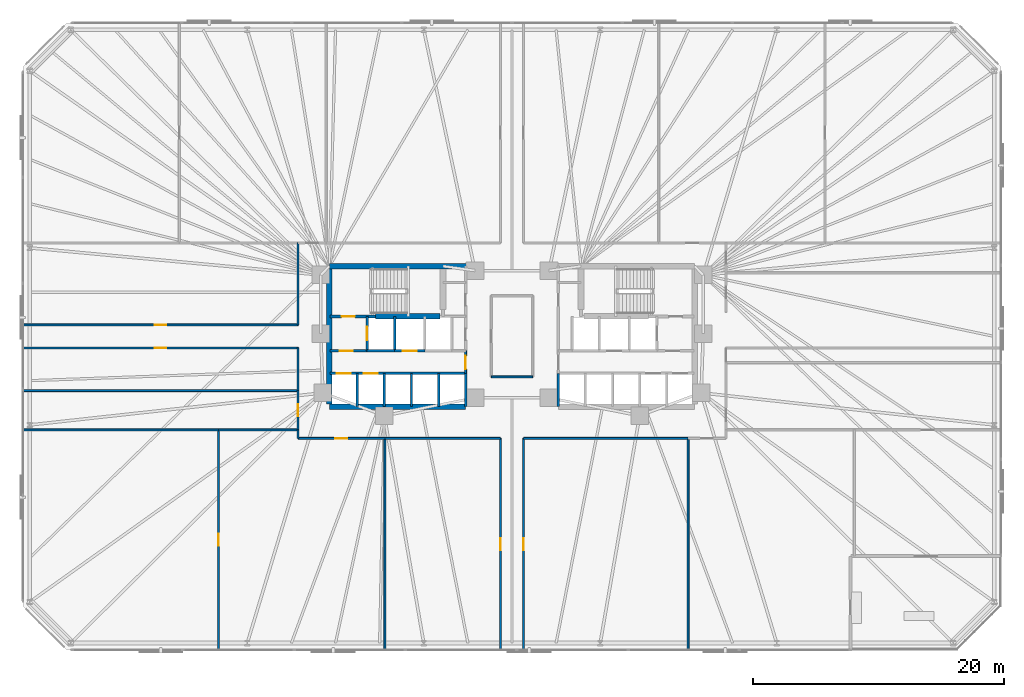
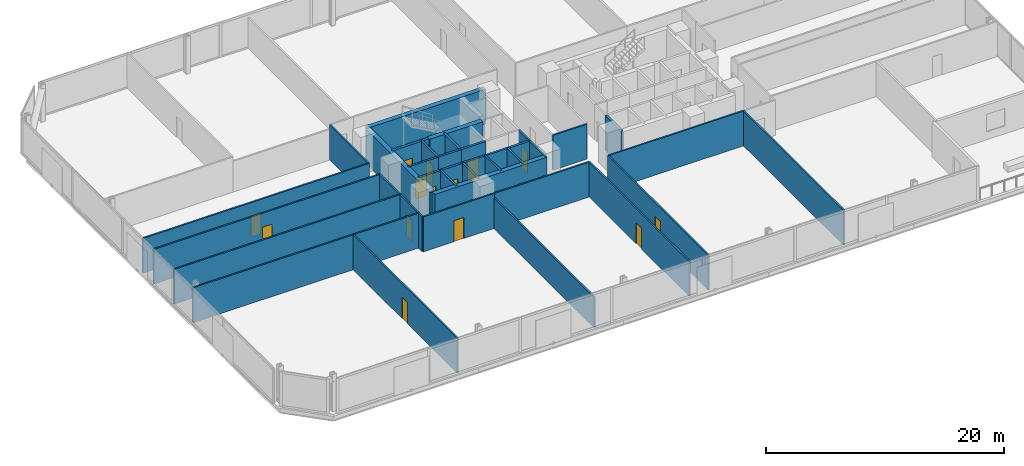
# One storey, part 12 of 17: 36 walls, 14 doors, 14 openings.
"""IFC4 building model written with IfcOpenShell, lengths in metres."""

import ifcopenshell
import ifcopenshell.guid

model = None  # the IFC model being written
_history = None  # IfcOwnerHistory: only IFC2X3 demands one
_inside = {}  # id of a spatial element -> (the spatial element, [elements in it])
_under = {}  # id of a project, library or spatial element -> (it, [spatial elements below it])
_declared = {}  # id of a project -> (the project, [libraries it declares])
_typed = {}  # id of a type object -> (the type object, [elements of that type])
_made_of = {}  # id of a material, layer set ... -> (it, [elements and type objects made of it])


def new_model(schema):
    """Start an empty IFC model of exactly this schema.

    Asked for "IFC4X3", IfcOpenShell would pick the latest addendum, in which some entities
    have other attributes; the version numbers below select the first issue.
    IFC2X3 requires an IfcOwnerHistory on every rooted entity: one is made here for all.
    """
    global model, _history
    if schema == "IFC4X3":
        model = ifcopenshell.file(schema_version=(4, 3, 0, 0))
    else:
        model = ifcopenshell.file(schema=schema)
    _inside.clear()
    _under.clear()
    _declared.clear()
    _typed.clear()
    _made_of.clear()
    _history = None
    if model.schema == "IFC2X3":
        org = make("IfcOrganization", Name="unknown")
        user = make(
            "IfcPersonAndOrganization",
            ThePerson=make("IfcPerson", FamilyName="unknown"),
            TheOrganization=org,
        )
        app = make(
            "IfcApplication",
            ApplicationDeveloper=org,
            Version="unknown",
            ApplicationFullName="unknown",
            ApplicationIdentifier="unknown",
        )
        _history = make(
            "IfcOwnerHistory",
            OwningUser=user,
            OwningApplication=app,
            ChangeAction="ADDED",
            CreationDate=0,
        )
    return model


def make(cls, **values):
    """One entity of the class cls with the attributes given. An attribute that is None is left unset."""
    return model.create_entity(
        cls, **{name: value for name, value in values.items() if value is not None}
    )


def rooted(cls, **values):
    """An entity with a GlobalId (a new one), such as an element, a storey or a relation."""
    return make(cls, GlobalId=ifcopenshell.guid.new(), OwnerHistory=_history, **values)


def si_unit(unit_type, name, prefix=None):
    """IfcSIUnit, for example si_unit("LENGTHUNIT", "METRE", prefix="MILLI")."""
    return make("IfcSIUnit", UnitType=unit_type, Prefix=prefix, Name=name)


def assignment(units):
    """IfcUnitAssignment: the units of a project."""
    return None if units is None else make("IfcUnitAssignment", Units=units)


def point(xyz):
    """IfcCartesianPoint."""
    return None if xyz is None else make("IfcCartesianPoint", Coordinates=xyz)


def direction(xyz):
    """IfcDirection."""
    return None if xyz is None else make("IfcDirection", DirectionRatios=xyz)


def frame(location, z_axis=None, x_axis=None):
    """IfcAxis2Placement3D, a coordinate frame: its origin and axes. An axis left out is left unset."""
    return make(
        "IfcAxis2Placement3D",
        Location=point(location),
        Axis=direction(z_axis),
        RefDirection=direction(x_axis),
    )


def frame_2d(location, x_axis=None):
    """IfcAxis2Placement2D, a coordinate frame in the plane: its origin and x axis."""
    return make(
        "IfcAxis2Placement2D", Location=point(location), RefDirection=direction(x_axis)
    )


def origin():
    """The frame at (0, 0, 0) with its axes left unset."""
    return frame((0.0, 0.0, 0.0))


def place(relative_to, where):
    """IfcLocalPlacement: puts the frame where relative to a parent placement (None: the world)."""
    return make(
        "IfcLocalPlacement", PlacementRelTo=relative_to, RelativePlacement=where
    )


def context(
    kind, dimensions, precision=None, world=None, true_north=None, identifier=None
):
    """IfcGeometricRepresentationContext, for example the 3D "Model" context."""
    return make(
        "IfcGeometricRepresentationContext",
        ContextIdentifier=identifier,
        ContextType=kind,
        CoordinateSpaceDimension=dimensions,
        Precision=precision,
        WorldCoordinateSystem=world,
        TrueNorth=true_north,
    )


def subcontext(parent, identifier, kind, view, scale=None):
    """IfcGeometricRepresentationSubContext, for example "Body" below "Model"."""
    return make(
        "IfcGeometricRepresentationSubContext",
        ContextIdentifier=identifier,
        ContextType=kind,
        ParentContext=parent,
        TargetScale=scale,
        TargetView=view,
    )


def project(units=None, contexts=None):
    """IfcProject with its units and contexts."""
    return rooted(
        "IfcProject",
        Name="project",
        RepresentationContexts=contexts,
        UnitsInContext=assignment(units),
    )


def spatial(cls, under=None, at=None, **own):
    """A site, building, storey or space (cls), placed at a placement, below another one or the project."""
    s = rooted(cls, ObjectPlacement=at, **own)
    if under is not None:
        _under.setdefault(under.id(), (under, []))[1].append(s)
    return s


def profile(cls, at=None, kind="AREA", **sizes):
    """A parametric profile (cls). Its sizes go by their IFC names, for example OverallWidth=200.0."""
    return make(cls, ProfileType=kind, Position=at, **sizes)


def rectangle(**sizes):
    """IfcRectangleProfileDef."""
    return profile("IfcRectangleProfileDef", **sizes)


def extrude(swept, where, along, depth):
    """IfcExtrudedAreaSolid: the profile swept, set in the frame where, extruded along a direction by depth."""
    return make(
        "IfcExtrudedAreaSolid",
        SweptArea=swept,
        Position=where,
        ExtrudedDirection=direction(along),
        Depth=depth,
    )


def shape(context_of_items, identifier, shape_type, items):
    """IfcShapeRepresentation: the items that make up one representation, for example the "Body"."""
    return make(
        "IfcShapeRepresentation",
        ContextOfItems=context_of_items,
        RepresentationIdentifier=identifier,
        RepresentationType=shape_type,
        Items=items,
    )


def material(Name=None, Category=None):
    """IfcMaterial."""
    return make("IfcMaterial", Name=Name, Category=Category)


def layer(
    of_material, thickness, ventilated=None, Name=None, Category=None, Priority=None
):
    """IfcMaterialLayer: one layer of a wall or slab, of a material (None: an air gap)."""
    return make(
        "IfcMaterialLayer",
        Material=of_material,
        LayerThickness=thickness,
        IsVentilated=ventilated,
        Name=Name,
        Category=Category,
        Priority=Priority,
    )


def layer_set(layers, Name=None):
    """IfcMaterialLayerSet."""
    return make("IfcMaterialLayerSet", MaterialLayers=layers, LayerSetName=Name)


def made_of(thing, what):
    """Note that an element or type object is made of a material, layer set ...; save() writes the relation."""
    if what is not None:
        _made_of.setdefault(what.id(), (what, []))[1].append(thing)
    return thing


def type_object(cls, material=None, **own):
    """A type object (cls), such as IfcWallType, which elements share."""
    return made_of(rooted(cls, **own), material)


def element(
    cls,
    number,
    at=None,
    inside=None,
    cuts=None,
    type_object=None,
    material=None,
    context=None,
    identifier="Body",
    shape_type=None,
    held_by="IfcProductDefinitionShape",
    body=None,
    shapes=None,
    **own,
):
    """One element of the class cls, such as IfcWall. Its Tag is "e" and its number.

    at: its placement. inside: the storey or other place that contains it. cuts: it is an
    opening in that element (IfcRelVoidsElement). A single representation is given by context,
    identifier, shape_type and body (its items); several are given by shapes. held_by: the class
    of the entity that holds the representations. save() writes the other relations.
    """
    e = rooted(cls, Tag="e%d" % number, ObjectPlacement=at, **own)
    if body is not None:
        shapes = [shape(context, identifier, shape_type, body)]
    if shapes is not None:
        e.Representation = make(held_by, Representations=shapes)
    if inside is not None:
        _inside.setdefault(inside.id(), (inside, []))[1].append(e)
    if cuts is not None:
        rooted(
            "IfcRelVoidsElement", RelatingBuildingElement=cuts, RelatedOpeningElement=e
        )
    if type_object is not None:
        _typed.setdefault(type_object.id(), (type_object, []))[1].append(e)
    return made_of(e, material)


def fill(opening, filler):
    """IfcRelFillsElement: the door or window that sits in an opening."""
    return rooted(
        "IfcRelFillsElement",
        RelatingOpeningElement=opening,
        RelatedBuildingElement=filler,
    )


def aggregate(whole, parts):
    """IfcRelAggregates: a whole, such as a stair, and the parts it consists of."""
    return rooted("IfcRelAggregates", RelatingObject=whole, RelatedObjects=parts)


def save(model, path):
    """Write the relations noted so far, then the file.

    IfcRelAggregates (storeys below a building ...), IfcRelContainedInSpatialStructure (elements
    in a storey), IfcRelDefinesByType, IfcRelAssociatesMaterial and IfcRelDeclares: one each for
    every whole, place, type object, material and project.
    """
    for whole, parts in _under.values():
        aggregate(whole, parts)
    for where, things in _inside.values():
        rooted(
            "IfcRelContainedInSpatialStructure",
            RelatedElements=things,
            RelatingStructure=where,
        )
    for kind, things in _typed.values():
        rooted("IfcRelDefinesByType", RelatedObjects=things, RelatingType=kind)
    for what, things in _made_of.values():
        rooted("IfcRelAssociatesMaterial", RelatedObjects=things, RelatingMaterial=what)
    for by, libraries in _declared.values():
        rooted("IfcRelDeclares", RelatingContext=by, RelatedDefinitions=libraries)
    model.write(path)


model = new_model("IFC4")

# Units and contexts
model_context = context("Model", 3, precision=1e-05, world=origin(), true_north=direction((0.0, 1.0)))
body_context = subcontext(model_context, "Body", "Model", "MODEL_VIEW")
ifc_project = project(units=[si_unit("LENGTHUNIT", "METRE"), si_unit("AREAUNIT", "SQUARE_METRE"), si_unit("VOLUMEUNIT", "CUBIC_METRE"), si_unit("PLANEANGLEUNIT", "RADIAN"), si_unit("MASSUNIT", "GRAM", prefix="KILO")], contexts=[model_context])

# Site, building, storey
site_placement = place(None, origin())
site = spatial("IfcSite", under=ifc_project, at=site_placement, CompositionType="ELEMENT")
building_placement = place(site_placement, origin())
building = spatial("IfcBuilding", under=site, at=building_placement, Name="Menara Jurai Vektor", CompositionType="ELEMENT")
storey_placement = place(building_placement, frame((0.0, 0.0, 44.60009765625)))
storey = spatial("IfcBuildingStorey", under=building, at=storey_placement, Name="L10", CompositionType="ELEMENT", Elevation=44.60009765625)

# Wall, opening, door
ifc_material_1 = material(Name="Concrete C40/50", Category="concrete")
ifc_layer_1 = layer(ifc_material_1, 0.25)
ifc_layer_set_1 = layer_set([ifc_layer_1], Name="Concrete C40/50")
wall_type_1 = type_object("IfcWallType", Name="INT-WALL-CORE-250", PredefinedType="STANDARD", material=ifc_layer_set_1)
wall_1_placement = place(storey_placement, frame((-14.5, 1.60009765625, 0.0), z_axis=(0.0, 0.0, 1.0), x_axis=(1.0, 0.0, 0.0)))
wall_1 = element("IfcWall", 1, at=wall_1_placement, inside=storey, type_object=wall_type_1, Name="Interior Wall IW-250 L10", PredefinedType="STANDARD", context=body_context, shape_type="SweptSolid", body=[
    extrude(rectangle(XDim=3.60009765625, YDim=0.25, at=frame_2d((1.800048828125, 0.0))), origin(), (0.0, 0.0, 1.0), 3.574951171875),
])
opening_1_placement = place(wall_1_placement, frame((0.919921875, 0.0, 0.0)))
opening_1 = element("IfcOpeningElement", 2, at=opening_1_placement, cuts=wall_1, Name="Opening D-L10-ST1", PredefinedType="OPENING", context=body_context, shape_type="SweptSolid", body=[
    extrude(rectangle(XDim=1.050048828125, YDim=2.14990234375, at=frame_2d((0.52490234375, 1.074951171875))), frame((0.0, 0.135009765625, 0.0), z_axis=(0.0, -1.0, 0.0), x_axis=(1.0, 0.0, 0.0)), (0.0, 0.0, 1.0), 0.27001953125),
])
ifc_material_2 = material(Name="Fire-Rated Steel Door", Category="steel")
door_type_1 = type_object("IfcDoorType", Name="DR-STAIR-1050", OperationType="NOTDEFINED", PredefinedType="DOOR", material=ifc_material_2)
door_1_placement = place(opening_1_placement, origin())
door_1 = element("IfcDoor", 3, at=door_1_placement, inside=storey, type_object=door_type_1, Name="Exit Stair ST1 Door L10", OperationType="SINGLE_SWING_RIGHT", OverallHeight=2.14990234375, OverallWidth=1.050048828125, PredefinedType="DOOR", context=body_context, shape_type="SweptSolid", body=[
    extrude(rectangle(XDim=1.050048828125, YDim=2.14990234375, at=frame_2d((0.52490234375, 1.074951171875))), frame((0.0, 0.02490234375, 0.0), z_axis=(0.0, -1.0, 0.0), x_axis=(1.0, 0.0, 0.0)), (0.0, 0.0, 1.0), 0.050048828125),
])
fill(opening_1, door_1)

wall_2_placement = place(storey_placement, frame((-11.550048828125, -1.14990234375, 0.0), z_axis=(0.0, 0.0, 1.0), x_axis=(0.0, 1.0, 0.0)))
wall_2 = element("IfcWall", 4, at=wall_2_placement, inside=storey, type_object=wall_type_1, Name="Interior Wall IW-250 L10", PredefinedType="STANDARD", context=body_context, shape_type="SweptSolid", body=[
    extrude(rectangle(XDim=2.75, YDim=0.199951171875, at=frame_2d((1.375, 0.0))), origin(), (0.0, 0.0, 1.0), 3.574951171875),
])
opening_2_placement = place(wall_2_placement, frame((0.824951171875, 0.0, 0.0)))
opening_2 = element("IfcOpeningElement", 5, at=opening_2_placement, cuts=wall_2, Name="Opening LD-L10-FL1", PredefinedType="OPENING", context=body_context, shape_type="SweptSolid", body=[
    extrude(rectangle(XDim=1.10009765625, YDim=2.14990234375, at=frame_2d((0.550048828125, 1.074951171875))), frame((0.0, 0.10986328125, 0.0), z_axis=(0.0, -1.0, 0.0), x_axis=(1.0, 0.0, 0.0)), (0.0, 0.0, 1.0), 0.219970703125),
])
ifc_material_3 = material(Name="Stainless Steel Sliding Lift Landing Door", Category="steel")
door_type_2 = type_object("IfcDoorType", Name="DR-LIFT-FIRE-1100", OperationType="NOTDEFINED", PredefinedType="DOOR", material=ifc_material_3)
door_2_placement = place(opening_2_placement, origin())
door_2 = element("IfcDoor", 6, at=door_2_placement, inside=storey, type_object=door_type_2, Name="Lift Landing Door FL1 L10", OperationType="SLIDING_TO_RIGHT", OverallHeight=2.14990234375, OverallWidth=1.10009765625, PredefinedType="DOOR", context=body_context, shape_type="SweptSolid", body=[
    extrude(rectangle(XDim=1.10009765625, YDim=2.14990234375, at=frame_2d((0.550048828125, 1.074951171875))), frame((0.0, 0.02490234375, 0.0), z_axis=(0.0, -1.0, 0.0), x_axis=(1.0, 0.0, 0.0)), (0.0, 0.0, 1.0), 0.050048828125),
])
fill(opening_2, door_2)

# Wall
wall_3_placement = place(storey_placement, frame((-9.35009765625, -1.14990234375, 0.0), z_axis=(0.0, 0.0, 1.0), x_axis=(0.0, 1.0, 0.0)))
element("IfcWall", 7, at=wall_3_placement, inside=storey, type_object=wall_type_1, Name="Interior Wall IW-250 L10", PredefinedType="STANDARD", context=body_context, shape_type="SweptSolid", body=[
    extrude(rectangle(XDim=2.75, YDim=0.199951171875, at=frame_2d((1.375, 0.0))), origin(), (0.0, 0.0, 1.0), 3.574951171875),
])

# Wall, opening, door
wall_4_placement = place(storey_placement, frame((-14.5, -1.14990234375, 0.0), z_axis=(0.0, 0.0, 1.0), x_axis=(1.0, 0.0, 0.0)))
wall_4 = element("IfcWall", 8, at=wall_4_placement, inside=storey, type_object=wall_type_1, Name="Interior Wall IW-250 L10", PredefinedType="STANDARD", context=body_context, shape_type="SweptSolid", body=[
    extrude(rectangle(XDim=2.949951171875, YDim=0.199951171875, at=frame_2d((1.47509765625, 0.0))), origin(), (0.0, 0.0, 1.0), 3.574951171875),
])
opening_3_placement = place(wall_4_placement, frame((0.75, 0.0, 0.0)))
opening_3 = element("IfcOpeningElement", 9, at=opening_3_placement, cuts=wall_4, Name="Opening D-L10-FFW", PredefinedType="OPENING", context=body_context, shape_type="SweptSolid", body=[
    extrude(rectangle(XDim=1.050048828125, YDim=2.179931640625, at=frame_2d((0.52490234375, 1.08984375))), frame((0.0, 0.10986328125, 0.0), z_axis=(0.0, -1.0, 0.0), x_axis=(1.0, 0.0, 0.0)), (0.0, 0.0, 1.0), 0.219970703125),
])
ifc_material_4 = material(Name="Fire-Rated Timber Door", Category="wood")
door_type_3 = type_object("IfcDoorType", Name="DR-LOBBY-1050", OperationType="NOTDEFINED", PredefinedType="DOOR", material=ifc_material_4)
door_3_placement = place(opening_3_placement, origin())
door_3 = element("IfcDoor", 10, at=door_3_placement, inside=storey, type_object=door_type_3, Name="Fire Lift Lobby Door W L10", OperationType="SINGLE_SWING_RIGHT", OverallHeight=2.179931640625, OverallWidth=1.050048828125, PredefinedType="DOOR", context=body_context, shape_type="SweptSolid", body=[
    extrude(rectangle(XDim=1.050048828125, YDim=2.179931640625, at=frame_2d((0.52490234375, 1.08984375))), frame((0.0, 0.02490234375, 0.0), z_axis=(0.0, -1.0, 0.0), x_axis=(1.0, 0.0, 0.0)), (0.0, 0.0, 1.0), 0.050048828125),
])
fill(opening_3, door_3)

# Wall
wall_5_placement = place(storey_placement, frame((-11.550048828125, -1.14990234375, 0.0), z_axis=(0.0, 0.0, 1.0), x_axis=(1.0, 0.0, 0.0)))
element("IfcWall", 11, at=wall_5_placement, inside=storey, type_object=wall_type_1, Name="Interior Wall IW-250 L10", PredefinedType="STANDARD", context=body_context, shape_type="SweptSolid", body=[
    extrude(rectangle(XDim=2.199951171875, YDim=0.199951171875, at=frame_2d((1.10009765625, 0.0))), origin(), (0.0, 0.0, 1.0), 3.574951171875),
])

# Wall, opening, door
ifc_material_5 = material(Name="Gypsum Fireboard Partition", Category="gypsum")
ifc_layer_2 = layer(ifc_material_5, 0.14990234375)
ifc_layer_set_2 = layer_set([ifc_layer_2], Name="Gypsum Fireboard Partition")
wall_type_2 = type_object("IfcWallType", Name="INT-WALL-CORR-150", PredefinedType="PARTITIONING", material=ifc_layer_set_2)
wall_6_placement = place(storey_placement, frame((-3.699951171875, -2.949951171875, 0.0), z_axis=(0.0, 0.0, 1.0), x_axis=(0.0, 1.0, 0.0)))
wall_6 = element("IfcWall", 12, at=wall_6_placement, inside=storey, type_object=wall_type_2, Name="Interior Wall IW-150 L10", PredefinedType="PARTITIONING", context=body_context, shape_type="SweptSolid", body=[
    extrude(rectangle(XDim=1.800048828125, YDim=0.14990234375, at=frame_2d((0.89990234375, 0.0))), origin(), (0.0, 0.0, 1.0), 3.574951171875),
])
opening_4_placement = place(wall_6_placement, frame((0.35009765625, 0.0, 0.0)))
opening_4 = element("IfcOpeningElement", 13, at=opening_4_placement, cuts=wall_6, Name="Opening D-L10-LLW", PredefinedType="OPENING", context=body_context, shape_type="SweptSolid", body=[
    extrude(rectangle(XDim=1.050048828125, YDim=2.179931640625, at=frame_2d((0.52490234375, 1.08984375))), frame((0.0, 0.0849609375, 0.0), z_axis=(0.0, -1.0, 0.0), x_axis=(1.0, 0.0, 0.0)), (0.0, 0.0, 1.0), 0.169921875),
])
door_4_placement = place(opening_4_placement, origin())
door_4 = element("IfcDoor", 14, at=door_4_placement, inside=storey, type_object=door_type_3, Name="Lift Lobby Corridor Door W L10", OperationType="SINGLE_SWING_LEFT", OverallHeight=2.179931640625, OverallWidth=1.050048828125, PredefinedType="DOOR", context=body_context, shape_type="SweptSolid", body=[
    extrude(rectangle(XDim=1.050048828125, YDim=2.179931640625, at=frame_2d((0.52490234375, 1.08984375))), frame((0.0, 0.02490234375, 0.0), z_axis=(0.0, -1.0, 0.0), x_axis=(1.0, 0.0, 0.0)), (0.0, 0.0, 1.0), 0.050048828125),
])
fill(opening_4, door_4)

# Walls
wall_7_placement = place(storey_placement, frame((-1.64990234375, -3.22998046875, 0.0), z_axis=(0.0, 0.0, 1.0), x_axis=(1.0, 0.0, 0.0)))
element("IfcWall", 15, at=wall_7_placement, inside=storey, type_object=wall_type_2, Name="Interior Wall IW-150 L10", PredefinedType="PARTITIONING", context=body_context, shape_type="SweptSolid", body=[
    extrude(rectangle(XDim=3.2998046875, YDim=0.14990234375, at=frame_2d((1.64990234375, 0.0))), origin(), (0.0, 0.0, 1.0), 3.574951171875),
])
wall_8_placement = place(storey_placement, frame((-17.05908203125, -8.1298828125, 0.0), z_axis=(0.0, 0.0, 1.0), x_axis=(0.0, 1.0, 0.0)))
element("IfcWall", 16, at=wall_8_placement, inside=storey, type_object=wall_type_2, Name="Interior Wall IW-150 L10", PredefinedType="PARTITIONING", context=body_context, shape_type="SweptSolid", body=[
    extrude(rectangle(XDim=0.679931640625, YDim=0.14990234375, at=frame_2d((0.33984375, 0.0))), origin(), (0.0, 0.0, 1.0), 3.574951171875),
])

# Wall, opening, door
wall_9_placement = place(storey_placement, frame((-17.05908203125, -8.1298828125, 0.0), z_axis=(0.0, 0.0, 1.0), x_axis=(1.0, 0.0, 0.0)))
wall_9 = element("IfcWall", 17, at=wall_9_placement, inside=storey, type_object=wall_type_2, Name="Interior Wall IW-150 L10", PredefinedType="PARTITIONING", context=body_context, shape_type="SweptSolid", body=[
    extrude(rectangle(XDim=6.919189453125, YDim=0.14990234375, at=frame_2d((3.45947265625, 0.0))), origin(), (0.0, 0.0, 1.0), 3.574951171875),
])
opening_5_placement = place(wall_9_placement, frame((2.984619140625, 0.0, 0.0)))
opening_5 = element("IfcOpeningElement", 18, at=opening_5_placement, cuts=wall_9, Name="Opening D10-09", PredefinedType="OPENING", context=body_context, shape_type="SweptSolid", body=[
    extrude(rectangle(XDim=0.949951171875, YDim=2.14990234375, at=frame_2d((0.47509765625, 1.074951171875))), frame((0.0, 0.0849609375, 0.0), z_axis=(0.0, -1.0, 0.0), x_axis=(1.0, 0.0, 0.0)), (0.0, 0.0, 1.0), 0.169921875),
])
ifc_material_6 = material(Name="Solid Core Timber Fire Door", Category="wood")
door_type_4 = type_object("IfcDoorType", Name="DR-ENTRY-950", OperationType="NOTDEFINED", PredefinedType="DOOR", material=ifc_material_6)
door_5_placement = place(opening_5_placement, origin())
door_5 = element("IfcDoor", 19, at=door_5_placement, inside=storey, type_object=door_type_4, Name="Interior Door D10-09", OperationType="SINGLE_SWING_RIGHT", OverallHeight=2.14990234375, OverallWidth=0.949951171875, PredefinedType="DOOR", context=body_context, shape_type="SweptSolid", body=[
    extrude(rectangle(XDim=0.949951171875, YDim=2.14990234375, at=frame_2d((0.47509765625, 1.074951171875))), frame((0.0, 0.02490234375, 0.0), z_axis=(0.0, -1.0, 0.0), x_axis=(1.0, 0.0, 0.0)), (0.0, 0.0, 1.0), 0.050048828125),
])
fill(opening_5, door_5)

# Wall
wall_10_placement = place(storey_placement, frame((-10.139892578125, -8.1298828125, 0.0), z_axis=(0.0, 0.0, 1.0), x_axis=(1.0, 0.0, 0.0)))
element("IfcWall", 20, at=wall_10_placement, inside=storey, type_object=wall_type_2, Name="Interior Wall IW-150 L10", PredefinedType="PARTITIONING", context=body_context, shape_type="SweptSolid", body=[
    extrude(rectangle(XDim=9.219970703125, YDim=0.14990234375, at=frame_2d((4.60986328125, 0.0))), origin(), (0.0, 0.0, 1.0), 3.574951171875),
])

# Wall, opening, door
wall_11_placement = place(storey_placement, frame((-0.919921875, -25.0, 0.0), z_axis=(0.0, 0.0, 1.0), x_axis=(0.0, 1.0, 0.0)))
wall_11 = element("IfcWall", 21, at=wall_11_placement, inside=storey, type_object=wall_type_2, Name="Interior Wall IW-150 L10", PredefinedType="PARTITIONING", context=body_context, shape_type="SweptSolid", body=[
    extrude(rectangle(XDim=16.8701171875, YDim=0.14990234375, at=frame_2d((8.43505859375, 0.0))), origin(), (0.0, 0.0, 1.0), 3.574951171875),
])
opening_6_placement = place(wall_11_placement, frame((7.9599609375, 0.0, 0.0)))
opening_6 = element("IfcOpeningElement", 22, at=opening_6_placement, cuts=wall_11, Name="Opening D10-10", PredefinedType="OPENING", context=body_context, shape_type="SweptSolid", body=[
    extrude(rectangle(XDim=0.949951171875, YDim=2.14990234375, at=frame_2d((0.47509765625, 1.074951171875))), frame((0.0, 0.0849609375, 0.0), z_axis=(0.0, -1.0, 0.0), x_axis=(1.0, 0.0, 0.0)), (0.0, 0.0, 1.0), 0.169921875),
])
door_6_placement = place(opening_6_placement, origin())
door_6 = element("IfcDoor", 23, at=door_6_placement, inside=storey, type_object=door_type_4, Name="Interior Door D10-10", OperationType="SINGLE_SWING_LEFT", OverallHeight=2.14990234375, OverallWidth=0.949951171875, PredefinedType="DOOR", context=body_context, shape_type="SweptSolid", body=[
    extrude(rectangle(XDim=0.949951171875, YDim=2.14990234375, at=frame_2d((0.47509765625, 1.074951171875))), frame((0.0, 0.02490234375, 0.0), z_axis=(0.0, -1.0, 0.0), x_axis=(1.0, 0.0, 0.0)), (0.0, 0.0, 1.0), 0.050048828125),
])
fill(opening_6, door_6)

wall_12_placement = place(storey_placement, frame((0.919921875, -25.0, 0.0), z_axis=(0.0, 0.0, 1.0), x_axis=(0.0, 1.0, 0.0)))
wall_12 = element("IfcWall", 24, at=wall_12_placement, inside=storey, type_object=wall_type_2, Name="Interior Wall IW-150 L10", PredefinedType="PARTITIONING", context=body_context, shape_type="SweptSolid", body=[
    extrude(rectangle(XDim=16.8701171875, YDim=0.14990234375, at=frame_2d((8.43505859375, 0.0))), origin(), (0.0, 0.0, 1.0), 3.574951171875),
])
opening_7_placement = place(wall_12_placement, frame((7.9599609375, 0.0, 0.0)))
opening_7 = element("IfcOpeningElement", 25, at=opening_7_placement, cuts=wall_12, Name="Opening D10-11", PredefinedType="OPENING", context=body_context, shape_type="SweptSolid", body=[
    extrude(rectangle(XDim=0.949951171875, YDim=2.14990234375, at=frame_2d((0.47509765625, 1.074951171875))), frame((0.0, 0.0849609375, 0.0), z_axis=(0.0, -1.0, 0.0), x_axis=(1.0, 0.0, 0.0)), (0.0, 0.0, 1.0), 0.169921875),
])
door_7_placement = place(opening_7_placement, origin())
door_7 = element("IfcDoor", 26, at=door_7_placement, inside=storey, type_object=door_type_4, Name="Interior Door D10-11", OperationType="SINGLE_SWING_RIGHT", OverallHeight=2.14990234375, OverallWidth=0.949951171875, PredefinedType="DOOR", context=body_context, shape_type="SweptSolid", body=[
    extrude(rectangle(XDim=0.949951171875, YDim=2.14990234375, at=frame_2d((0.47509765625, 1.074951171875))), frame((0.0, 0.02490234375, 0.0), z_axis=(0.0, -1.0, 0.0), x_axis=(1.0, 0.0, 0.0)), (0.0, 0.0, 1.0), 0.050048828125),
])
fill(opening_7, door_7)

# Wall
wall_13_placement = place(storey_placement, frame((0.919921875, -8.1298828125, 0.0), z_axis=(0.0, 0.0, 1.0), x_axis=(1.0, 0.0, 0.0)))
element("IfcWall", 27, at=wall_13_placement, inside=storey, type_object=wall_type_2, Name="Interior Wall IW-150 L10", PredefinedType="PARTITIONING", context=body_context, shape_type="SweptSolid", body=[
    extrude(rectangle(XDim=13.1201171875, YDim=0.14990234375, at=frame_2d((6.56005859375, 0.0))), origin(), (0.0, 0.0, 1.0), 3.574951171875),
])

# Wall, opening, door
wall_14_placement = place(storey_placement, frame((-17.05908203125, -7.449951171875, 0.0), z_axis=(0.0, 0.0, 1.0), x_axis=(0.0, 1.0, 0.0)))
wall_14 = element("IfcWall", 28, at=wall_14_placement, inside=storey, type_object=wall_type_2, Name="Interior Wall IW-150 L10", PredefinedType="PARTITIONING", context=body_context, shape_type="SweptSolid", body=[
    extrude(rectangle(XDim=3.12890625, YDim=0.14990234375, at=frame_2d((1.564453125, 0.0))), origin(), (0.0, 0.0, 1.0), 3.574951171875),
])
opening_8_placement = place(wall_14_placement, frame((1.089599609375, 0.0, 0.0)))
opening_8 = element("IfcOpeningElement", 29, at=opening_8_placement, cuts=wall_14, Name="Opening D10-13", PredefinedType="OPENING", context=body_context, shape_type="SweptSolid", body=[
    extrude(rectangle(XDim=0.949951171875, YDim=2.14990234375, at=frame_2d((0.47509765625, 1.074951171875))), frame((0.0, 0.0849609375, 0.0), z_axis=(0.0, -1.0, 0.0), x_axis=(1.0, 0.0, 0.0)), (0.0, 0.0, 1.0), 0.169921875),
])
door_8_placement = place(opening_8_placement, origin())
door_8 = element("IfcDoor", 30, at=door_8_placement, inside=storey, type_object=door_type_4, Name="Interior Door D10-13", OperationType="SINGLE_SWING_RIGHT", OverallHeight=2.14990234375, OverallWidth=0.949951171875, PredefinedType="DOOR", context=body_context, shape_type="SweptSolid", body=[
    extrude(rectangle(XDim=0.949951171875, YDim=2.14990234375, at=frame_2d((0.47509765625, 1.074951171875))), frame((0.0, 0.02490234375, 0.0), z_axis=(0.0, -1.0, 0.0), x_axis=(1.0, 0.0, 0.0)), (0.0, 0.0, 1.0), 0.050048828125),
])
fill(opening_8, door_8)

wall_15_placement = place(storey_placement, frame((-39.0, -0.919921875, 0.0), z_axis=(0.0, 0.0, 1.0), x_axis=(1.0, 0.0, 0.0)))
wall_15 = element("IfcWall", 31, at=wall_15_placement, inside=storey, type_object=wall_type_2, Name="Interior Wall IW-150 L10", PredefinedType="PARTITIONING", context=body_context, shape_type="SweptSolid", body=[
    extrude(rectangle(XDim=21.94091796875, YDim=0.14990234375, at=frame_2d((10.970458984375, 0.0))), origin(), (0.0, 0.0, 1.0), 3.574951171875),
])
opening_9_placement = place(wall_15_placement, frame((10.49560546875, 0.0, 0.0)))
opening_9 = element("IfcOpeningElement", 32, at=opening_9_placement, cuts=wall_15, Name="Opening D10-14", PredefinedType="OPENING", context=body_context, shape_type="SweptSolid", body=[
    extrude(rectangle(XDim=0.949951171875, YDim=2.14990234375, at=frame_2d((0.47509765625, 1.074951171875))), frame((0.0, 0.0849609375, 0.0), z_axis=(0.0, -1.0, 0.0), x_axis=(1.0, 0.0, 0.0)), (0.0, 0.0, 1.0), 0.169921875),
])
door_9_placement = place(opening_9_placement, origin())
door_9 = element("IfcDoor", 33, at=door_9_placement, inside=storey, type_object=door_type_4, Name="Interior Door D10-14", OperationType="SINGLE_SWING_LEFT", OverallHeight=2.14990234375, OverallWidth=0.949951171875, PredefinedType="DOOR", context=body_context, shape_type="SweptSolid", body=[
    extrude(rectangle(XDim=0.949951171875, YDim=2.14990234375, at=frame_2d((0.47509765625, 1.074951171875))), frame((0.0, 0.02490234375, 0.0), z_axis=(0.0, -1.0, 0.0), x_axis=(1.0, 0.0, 0.0)), (0.0, 0.0, 1.0), 0.050048828125),
])
fill(opening_9, door_9)

# Wall
wall_16_placement = place(storey_placement, frame((-17.05908203125, -4.321044921875, 0.0), z_axis=(0.0, 0.0, 1.0), x_axis=(0.0, 1.0, 0.0)))
element("IfcWall", 34, at=wall_16_placement, inside=storey, type_object=wall_type_2, Name="Interior Wall IW-150 L10", PredefinedType="PARTITIONING", context=body_context, shape_type="SweptSolid", body=[
    extrude(rectangle(XDim=3.401123046875, YDim=0.14990234375, at=frame_2d((1.70068359375, 0.0))), origin(), (0.0, 0.0, 1.0), 3.574951171875),
])

# Wall, opening, door
wall_17_placement = place(storey_placement, frame((-39.0, 0.919921875, 0.0), z_axis=(0.0, 0.0, 1.0), x_axis=(1.0, 0.0, 0.0)))
wall_17 = element("IfcWall", 35, at=wall_17_placement, inside=storey, type_object=wall_type_2, Name="Interior Wall IW-150 L10", PredefinedType="PARTITIONING", context=body_context, shape_type="SweptSolid", body=[
    extrude(rectangle(XDim=21.94091796875, YDim=0.14990234375, at=frame_2d((10.970458984375, 0.0))), origin(), (0.0, 0.0, 1.0), 3.574951171875),
])
opening_10_placement = place(wall_17_placement, frame((10.49560546875, 0.0, 0.0)))
opening_10 = element("IfcOpeningElement", 36, at=opening_10_placement, cuts=wall_17, Name="Opening D10-15", PredefinedType="OPENING", context=body_context, shape_type="SweptSolid", body=[
    extrude(rectangle(XDim=0.949951171875, YDim=2.14990234375, at=frame_2d((0.47509765625, 1.074951171875))), frame((0.0, 0.0849609375, 0.0), z_axis=(0.0, -1.0, 0.0), x_axis=(1.0, 0.0, 0.0)), (0.0, 0.0, 1.0), 0.169921875),
])
door_10_placement = place(opening_10_placement, origin())
door_10 = element("IfcDoor", 37, at=door_10_placement, inside=storey, type_object=door_type_4, Name="Interior Door D10-15", OperationType="SINGLE_SWING_RIGHT", OverallHeight=2.14990234375, OverallWidth=0.949951171875, PredefinedType="DOOR", context=body_context, shape_type="SweptSolid", body=[
    extrude(rectangle(XDim=0.949951171875, YDim=2.14990234375, at=frame_2d((0.47509765625, 1.074951171875))), frame((0.0, 0.02490234375, 0.0), z_axis=(0.0, -1.0, 0.0), x_axis=(1.0, 0.0, 0.0)), (0.0, 0.0, 1.0), 0.050048828125),
])
fill(opening_10, door_10)

# Wall
wall_18_placement = place(storey_placement, frame((-17.05908203125, 0.919921875, 0.0), z_axis=(0.0, 0.0, 1.0), x_axis=(0.0, 1.0, 0.0)))
element("IfcWall", 38, at=wall_18_placement, inside=storey, type_object=wall_type_2, Name="Interior Wall IW-150 L10", PredefinedType="PARTITIONING", context=body_context, shape_type="SweptSolid", body=[
    extrude(rectangle(XDim=6.530029296875, YDim=0.14990234375, at=frame_2d((3.26513671875, 0.0))), origin(), (0.0, 0.0, 1.0), 3.574951171875),
])

# Wall, opening, door
wall_19_placement = place(storey_placement, frame((-23.39990234375, -25.0, 0.0), z_axis=(0.0, 0.0, 1.0), x_axis=(0.0, 1.0, 0.0)))
wall_19 = element("IfcWall", 39, at=wall_19_placement, inside=storey, type_object=wall_type_2, Name="Interior Wall IW-150 L10", PredefinedType="PARTITIONING", context=body_context, shape_type="SweptSolid", body=[
    extrude(rectangle(XDim=17.550048828125, YDim=0.14990234375, at=frame_2d((8.77490234375, 0.0))), origin(), (0.0, 0.0, 1.0), 3.574951171875),
])
opening_11_placement = place(wall_19_placement, frame((8.300048828125, 0.0, 0.0)))
opening_11 = element("IfcOpeningElement", 40, at=opening_11_placement, cuts=wall_19, Name="Opening D10-22", PredefinedType="OPENING", context=body_context, shape_type="SweptSolid", body=[
    extrude(rectangle(XDim=0.949951171875, YDim=2.14990234375, at=frame_2d((0.47509765625, 1.074951171875))), frame((0.0, 0.0849609375, 0.0), z_axis=(0.0, -1.0, 0.0), x_axis=(1.0, 0.0, 0.0)), (0.0, 0.0, 1.0), 0.169921875),
])
door_11_placement = place(opening_11_placement, origin())
door_11 = element("IfcDoor", 41, at=door_11_placement, inside=storey, type_object=door_type_4, Name="Interior Door D10-22", OperationType="SINGLE_SWING_LEFT", OverallHeight=2.14990234375, OverallWidth=0.949951171875, PredefinedType="DOOR", context=body_context, shape_type="SweptSolid", body=[
    extrude(rectangle(XDim=0.949951171875, YDim=2.14990234375, at=frame_2d((0.47509765625, 1.074951171875))), frame((0.0, 0.02490234375, 0.0), z_axis=(0.0, -1.0, 0.0), x_axis=(1.0, 0.0, 0.0)), (0.0, 0.0, 1.0), 0.050048828125),
])
fill(opening_11, door_11)

# Walls
wall_20_placement = place(storey_placement, frame((-39.0, -7.449951171875, 0.0), z_axis=(0.0, 0.0, 1.0), x_axis=(1.0, 0.0, 0.0)))
element("IfcWall", 42, at=wall_20_placement, inside=storey, type_object=wall_type_2, Name="Interior Wall IW-150 L10", PredefinedType="PARTITIONING", context=body_context, shape_type="SweptSolid", body=[
    extrude(rectangle(XDim=15.60009765625, YDim=0.14990234375, at=frame_2d((7.800048828125, 0.0))), origin(), (0.0, 0.0, 1.0), 3.574951171875),
])
wall_21_placement = place(storey_placement, frame((-23.39990234375, -7.449951171875, 0.0), z_axis=(0.0, 0.0, 1.0), x_axis=(1.0, 0.0, 0.0)))
element("IfcWall", 43, at=wall_21_placement, inside=storey, type_object=wall_type_2, Name="Interior Wall IW-150 L10", PredefinedType="PARTITIONING", context=body_context, shape_type="SweptSolid", body=[
    extrude(rectangle(XDim=6.3408203125, YDim=0.14990234375, at=frame_2d((3.17041015625, 0.0))), origin(), (0.0, 0.0, 1.0), 3.574951171875),
])
wall_22_placement = place(storey_placement, frame((14.0400390625, -25.0, 0.0), z_axis=(0.0, 0.0, 1.0), x_axis=(0.0, 1.0, 0.0)))
element("IfcWall", 44, at=wall_22_placement, inside=storey, type_object=wall_type_2, Name="Interior Wall IW-150 L10", PredefinedType="PARTITIONING", context=body_context, shape_type="SweptSolid", body=[
    extrude(rectangle(XDim=16.8701171875, YDim=0.14990234375, at=frame_2d((8.43505859375, 0.0))), origin(), (0.0, 0.0, 1.0), 3.574951171875),
])
wall_23_placement = place(storey_placement, frame((-39.0, -4.321044921875, 0.0), z_axis=(0.0, 0.0, 1.0), x_axis=(1.0, 0.0, 0.0)))
element("IfcWall", 45, at=wall_23_placement, inside=storey, type_object=wall_type_2, Name="Interior Wall IW-150 L10", PredefinedType="PARTITIONING", context=body_context, shape_type="SweptSolid", body=[
    extrude(rectangle(XDim=21.94091796875, YDim=0.14990234375, at=frame_2d((10.970458984375, 0.0))), origin(), (0.0, 0.0, 1.0), 3.574951171875),
])
ifc_layer_3 = layer(ifc_material_5, 0.14990234375)
ifc_layer_set_3 = layer_set([ifc_layer_3], Name="Gypsum Fireboard Partition")
wall_type_3 = type_object("IfcWallType", Name="INT-WALL-CORR-150-H1", PredefinedType="PARTITIONING", material=ifc_layer_set_3)
wall_24_placement = place(storey_placement, frame((-10.139892578125, -25.0, 0.0), z_axis=(0.0, 0.0, 1.0), x_axis=(0.0, 1.0, 0.0)))
element("IfcWall", 46, at=wall_24_placement, inside=storey, type_object=wall_type_3, Name="Interior Wall IW-150 L10", PredefinedType="PARTITIONING", context=body_context, shape_type="SweptSolid", body=[
    extrude(rectangle(XDim=16.8701171875, YDim=0.14990234375, at=frame_2d((8.43505859375, 0.0))), origin(), (0.0, 0.0, 1.0), 3.125),
])
ifc_layer_4 = layer(ifc_material_1, 0.199951171875)
ifc_layer_set_4 = layer_set([ifc_layer_4], Name="Concrete C40/50")
wall_type_4 = type_object("IfcWallType", Name="INT-WALL-SHAFT-200", PredefinedType="STANDARD", material=ifc_layer_set_4)
wall_25_placement = place(storey_placement, frame((-3.699951171875, -5.60009765625, 0.0), z_axis=(0.0, 0.0, 1.0), x_axis=(0.0, 1.0, 0.0)))
element("IfcWall", 47, at=wall_25_placement, inside=storey, type_object=wall_type_4, Name="Interior Wall IW-200 L10", PredefinedType="STANDARD", context=body_context, shape_type="SweptSolid", body=[
    extrude(rectangle(XDim=2.650146484375, YDim=0.199951171875, at=frame_2d((1.3251953125, 0.0))), origin(), (0.0, 0.0, 1.0), 3.574951171875),
])

# Wall, opening, door
wall_26_placement = place(storey_placement, frame((-9.35009765625, -1.14990234375, 0.0), z_axis=(0.0, 0.0, 1.0), x_axis=(1.0, 0.0, 0.0)))
wall_26 = element("IfcWall", 48, at=wall_26_placement, inside=storey, type_object=wall_type_4, Name="Interior Wall IW-200 L10", PredefinedType="STANDARD", context=body_context, shape_type="SweptSolid", body=[
    extrude(rectangle(XDim=2.400146484375, YDim=0.199951171875, at=frame_2d((1.2001953125, 0.0))), origin(), (0.0, 0.0, 1.0), 3.574951171875),
])
opening_12_placement = place(wall_26_placement, frame((0.64990234375, 0.0, 0.0)))
opening_12 = element("IfcOpeningElement", 49, at=opening_12_placement, cuts=wall_26, Name="Opening LD-L10-SVL1", PredefinedType="OPENING", context=body_context, shape_type="SweptSolid", body=[
    extrude(rectangle(XDim=1.10009765625, YDim=2.14990234375, at=frame_2d((0.550048828125, 1.074951171875))), frame((0.0, 0.10986328125, 0.0), z_axis=(0.0, -1.0, 0.0), x_axis=(1.0, 0.0, 0.0)), (0.0, 0.0, 1.0), 0.219970703125),
])
ifc_material_7 = material(Name="Anodised Stainless Sliding Lift Landing Door", Category="steel")
door_type_5 = type_object("IfcDoorType", Name="DR-LIFT-PASS-1100", OperationType="NOTDEFINED", PredefinedType="DOOR", material=ifc_material_7)
door_12_placement = place(opening_12_placement, origin())
door_12 = element("IfcDoor", 50, at=door_12_placement, inside=storey, type_object=door_type_5, Name="Lift Landing Door SVL1 L10", OperationType="SLIDING_TO_RIGHT", OverallHeight=2.14990234375, OverallWidth=1.10009765625, PredefinedType="DOOR", context=body_context, shape_type="SweptSolid", body=[
    extrude(rectangle(XDim=1.10009765625, YDim=2.14990234375, at=frame_2d((0.550048828125, 1.074951171875))), frame((0.0, 0.02490234375, 0.0), z_axis=(0.0, -1.0, 0.0), x_axis=(1.0, 0.0, 0.0)), (0.0, 0.0, 1.0), 0.050048828125),
])
fill(opening_12, door_12)

# Wall, openings, doors
wall_27_placement = place(storey_placement, frame((-14.5, -2.949951171875, 0.0), z_axis=(0.0, 0.0, 1.0), x_axis=(1.0, 0.0, 0.0)))
wall_27 = element("IfcWall", 51, at=wall_27_placement, inside=storey, type_object=wall_type_4, Name="Interior Wall IW-200 L10", PredefinedType="STANDARD", context=body_context, shape_type="SweptSolid", body=[
    extrude(rectangle(XDim=10.800048828125, YDim=0.199951171875, at=frame_2d((5.39990234375, 0.0))), origin(), (0.0, 0.0, 1.0), 3.574951171875),
])
opening_13_placement = place(wall_27_placement, frame((0.530029296875, 0.0, 0.0)))
opening_13 = element("IfcOpeningElement", 52, at=opening_13_placement, cuts=wall_27, Name="Opening LD-L10-PL1", PredefinedType="OPENING", context=body_context, shape_type="SweptSolid", body=[
    extrude(rectangle(XDim=1.10009765625, YDim=2.14990234375, at=frame_2d((0.550048828125, 1.074951171875))), frame((0.0, 0.10986328125, 0.0), z_axis=(0.0, -1.0, 0.0), x_axis=(1.0, 0.0, 0.0)), (0.0, 0.0, 1.0), 0.219970703125),
])
opening_14_placement = place(wall_27_placement, frame((2.68994140625, 0.0, 0.0)))
opening_14 = element("IfcOpeningElement", 53, at=opening_14_placement, cuts=wall_27, Name="Opening LD-L10-PL2", PredefinedType="OPENING", context=body_context, shape_type="SweptSolid", body=[
    extrude(rectangle(XDim=1.10009765625, YDim=2.14990234375, at=frame_2d((0.550048828125, 1.074951171875))), frame((0.0, 0.10986328125, 0.0), z_axis=(0.0, -1.0, 0.0), x_axis=(1.0, 0.0, 0.0)), (0.0, 0.0, 1.0), 0.219970703125),
])
door_13_placement = place(opening_13_placement, origin())
door_13 = element("IfcDoor", 54, at=door_13_placement, inside=storey, type_object=door_type_5, Name="Lift Landing Door PL1 L10", OperationType="SLIDING_TO_RIGHT", OverallHeight=2.14990234375, OverallWidth=1.10009765625, PredefinedType="DOOR", context=body_context, shape_type="SweptSolid", body=[
    extrude(rectangle(XDim=1.10009765625, YDim=2.14990234375, at=frame_2d((0.550048828125, 1.074951171875))), frame((0.0, 0.02490234375, 0.0), z_axis=(0.0, -1.0, 0.0), x_axis=(1.0, 0.0, 0.0)), (0.0, 0.0, 1.0), 0.050048828125),
])
fill(opening_13, door_13)
door_14_placement = place(opening_14_placement, origin())
door_14 = element("IfcDoor", 55, at=door_14_placement, inside=storey, type_object=door_type_5, Name="Lift Landing Door PL2 L10", OperationType="SLIDING_TO_RIGHT", OverallHeight=2.14990234375, OverallWidth=1.10009765625, PredefinedType="DOOR", context=body_context, shape_type="SweptSolid", body=[
    extrude(rectangle(XDim=1.10009765625, YDim=2.14990234375, at=frame_2d((0.550048828125, 1.074951171875))), frame((0.0, 0.02490234375, 0.0), z_axis=(0.0, -1.0, 0.0), x_axis=(1.0, 0.0, 0.0)), (0.0, 0.0, 1.0), 0.050048828125),
])
fill(opening_14, door_14)

# Walls
wall_28_placement = place(storey_placement, frame((-5.860107421875, -5.60009765625, 0.0), z_axis=(0.0, 0.0, 1.0), x_axis=(0.0, 1.0, 0.0)))
element("IfcWall", 56, at=wall_28_placement, inside=storey, type_object=wall_type_4, Name="Interior Wall IW-200 L10", PredefinedType="STANDARD", context=body_context, shape_type="SweptSolid", body=[
    extrude(rectangle(XDim=2.650146484375, YDim=0.199951171875, at=frame_2d((1.3251953125, 0.0))), origin(), (0.0, 0.0, 1.0), 3.574951171875),
])
for number, where, z_axis, x_axis, name in (
    (57, (-12.340087890625, -5.60009765625, 0.0), (0.0, 0.0, 1.0), (0.0, 1.0, 0.0), "Interior Wall IW-200 L10"),
    (58, (-10.179931640625, -5.60009765625, 0.0), (0.0, 0.0, 1.0), (0.0, 1.0, 0.0), "Interior Wall IW-200 L10"),
    (59, (-8.02001953125, -5.60009765625, 0.0), (0.0, 0.0, 1.0), (0.0, 1.0, 0.0), "Interior Wall IW-200 L10"),
):
    element("IfcWall", number, at=place(storey_placement, frame(where, z_axis=z_axis, x_axis=x_axis)), inside=storey, type_object=wall_type_4, Name=name, PredefinedType="STANDARD", context=body_context, shape_type="SweptSolid", body=[
        extrude(rectangle(XDim=2.650146484375, YDim=0.179931640625, at=frame_2d((1.3251953125, 0.0))), origin(), (0.0, 0.0, 1.0), 3.574951171875),
    ])
wall_29_placement = place(storey_placement, frame((3.699951171875, -5.60009765625, 0.0), z_axis=(0.0, 0.0, 1.0), x_axis=(0.0, 1.0, 0.0)))
element("IfcWall", 60, at=wall_29_placement, inside=storey, type_object=wall_type_4, Name="Interior Wall IW-200 L10", PredefinedType="STANDARD", context=body_context, shape_type="SweptSolid", body=[
    extrude(rectangle(XDim=2.650146484375, YDim=0.199951171875, at=frame_2d((1.3251953125, 0.0))), origin(), (0.0, 0.0, 1.0), 3.574951171875),
])
ifc_material_8 = material(Name="Concrete C60/75", Category="concrete")
ifc_layer_5 = layer(ifc_material_8, 0.449951171875)
ifc_layer_set_5 = layer_set([ifc_layer_5], Name="Concrete C60/75")
wall_type_5 = type_object("IfcWallType", Name="STR-WALL-CORE450", PredefinedType="SHEAR", material=ifc_layer_set_5)
wall_30_placement = place(storey_placement, frame((-14.56005859375, 5.60009765625, 0.0), z_axis=(0.0, 0.0, 1.0), x_axis=(1.0, 0.0, 0.0)))
element("IfcWall", 61, at=wall_30_placement, inside=storey, type_object=wall_type_5, Name="Core Shear Wall CW-W-N L10", PredefinedType="SHEAR", context=body_context, shape_type="SweptSolid", body=[
    extrude(rectangle(XDim=11.41015625, YDim=0.449951171875, at=frame_2d((5.705078125, 0.0))), origin(), (0.0, 0.0, 1.0), 3.574951171875),
])
wall_31_placement = place(storey_placement, frame((-14.56005859375, -5.60009765625, 0.0), z_axis=(0.0, 0.0, 1.0), x_axis=(1.0, 0.0, 0.0)))
element("IfcWall", 62, at=wall_31_placement, inside=storey, type_object=wall_type_5, Name="Core Shear Wall CW-W-S L10", PredefinedType="SHEAR", context=body_context, shape_type="SweptSolid", body=[
    extrude(rectangle(XDim=10.860107421875, YDim=0.449951171875, at=frame_2d((5.43017578125, 0.0))), origin(), (0.0, 0.0, 1.0), 3.574951171875),
])
wall_32_placement = place(storey_placement, frame((-14.56005859375, -5.375, 0.0), z_axis=(0.0, 0.0, 1.0), x_axis=(0.0, 1.0, 0.0)))
element("IfcWall", 63, at=wall_32_placement, inside=storey, type_object=wall_type_5, Name="Core Shear Wall CW-W-W L10", PredefinedType="SHEAR", context=body_context, shape_type="SweptSolid", body=[
    extrude(rectangle(XDim=10.75, YDim=0.449951171875, at=frame_2d((5.375, 0.0))), origin(), (0.0, 0.0, 1.0), 3.574951171875),
])
wall_33_placement = place(storey_placement, frame((-10.89990234375, 1.60009765625, 0.0), z_axis=(0.0, 0.0, 1.0), x_axis=(1.0, 0.0, 0.0)))
element("IfcWall", 64, at=wall_33_placement, inside=storey, type_object=wall_type_5, Name="Core Shear Wall CW-W-STS L10", PredefinedType="SHEAR", context=body_context, shape_type="SweptSolid", body=[
    extrude(rectangle(XDim=5.14990234375, YDim=0.449951171875, at=frame_2d((2.574951171875, 0.0))), origin(), (0.0, 0.0, 1.0), 3.574951171875),
])

save(model, "model.ifc")
